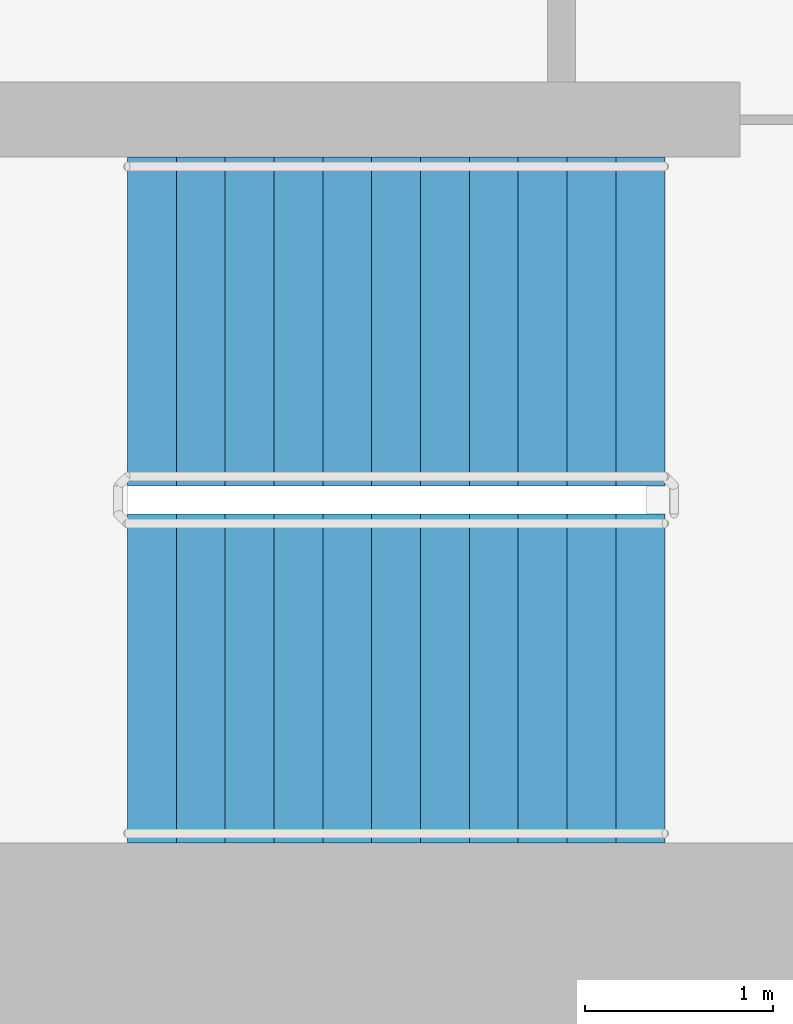
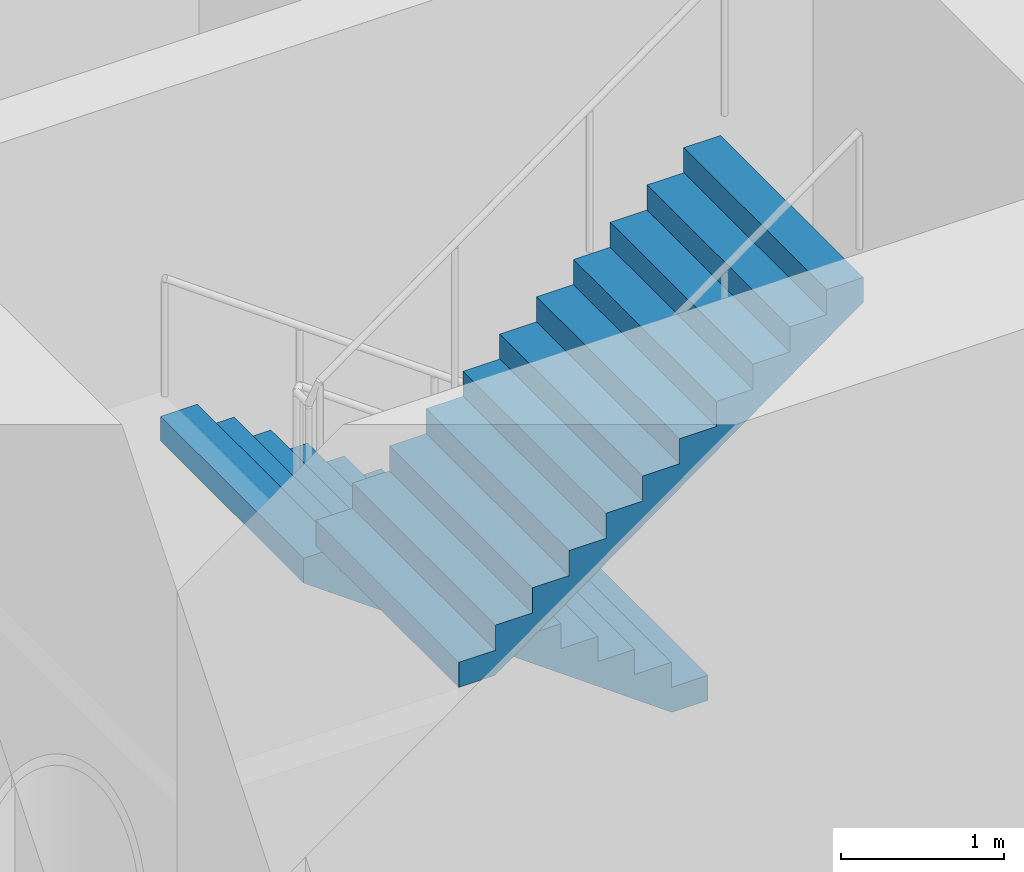
# One storey, part 28 of 49: 2 stair flights, 1 element without a shape of its own.
"""IFC4 building model written with IfcOpenShell, lengths in metres."""

from ifc_helpers import new_model, si_unit, direction, frame, origin, place, context, subcontext, project, spatial, faceted_brep, material, type_object, element, aggregate, save


model = new_model("IFC4")

# Units and contexts
model_context = context("Model", 3, precision=1e-05, world=origin(), true_north=direction((0.0, 1.0)))
body_context = subcontext(model_context, "Body", "Model", "MODEL_VIEW")
ifc_project = project(units=[si_unit("LENGTHUNIT", "METRE"), si_unit("AREAUNIT", "SQUARE_METRE"), si_unit("VOLUMEUNIT", "CUBIC_METRE"), si_unit("PLANEANGLEUNIT", "RADIAN"), si_unit("MASSUNIT", "GRAM", prefix="KILO")], contexts=[model_context])

# Site, building, storey
site_placement = place(None, origin())
site = spatial("IfcSite", under=ifc_project, at=site_placement, CompositionType="ELEMENT")
building_placement = place(site_placement, origin())
building = spatial("IfcBuilding", under=site, at=building_placement, Name="Ipe Terrace Towers", CompositionType="ELEMENT")
storey_placement = place(building_placement, frame((0.0, 0.0, 20.0)))
storey = spatial("IfcBuildingStorey", under=building, at=storey_placement, Name="L04", CompositionType="ELEMENT", Elevation=20.0)

# Stair, stair flights
ifc_material_1 = material(Name="Concrete C30/37", Category="concrete")
stair_type = type_object("IfcStairType", Name="Protected exit stair", PredefinedType="HALF_TURN_STAIR", material=ifc_material_1)
stair_placement = place(storey_placement, origin())
stair = element("IfcStair", 1, at=stair_placement, inside=storey, type_object=stair_type, Name="L04 Exit stair T1-C2", PredefinedType="HALF_TURN_STAIR")
ifc_material_2 = material(Name="Concrete C30/37", Category="concrete")
stair_flight_type = type_object("IfcStairFlightType", Name="Exit stair flight 1750", PredefinedType="STRAIGHT", material=ifc_material_2)
stair_flight_1_placement = place(storey_placement, frame((-45.699951171875, -2.77490234375, 0.0), z_axis=(0.0, 0.0, 1.0), x_axis=(-1.0, 0.0, 0.0)))
stair_flight_1 = element("IfcStairFlight", 2, at=stair_flight_1_placement, type_object=stair_flight_type, Name="T1-ST2 flight 1", NumberOfRisers=12, NumberOfTreads=11, PredefinedType="STRAIGHT", RiserHeight=0.1875, TreadLength=0.26, context=body_context, shape_type="Brep", body=[
    faceted_brep([(0.25634765625, -0.875, 0.0), (2.860107421875, -0.875, 1.877685546875), (2.860107421875, -0.875, 2.0625), (2.60009765625, -0.875, 2.0625), (2.60009765625, -0.875, 1.875), (2.340087890625, -0.875, 1.875), (2.340087890625, -0.875, 1.6875), (2.080078125, -0.875, 1.6875), (2.080078125, -0.875, 1.5), (1.820068359375, -0.875, 1.5), (1.820068359375, -0.875, 1.3125), (1.56005859375, -0.875, 1.3125), (1.56005859375, -0.875, 1.125), (1.300048828125, -0.875, 1.125), (1.300048828125, -0.875, 0.9375), (1.0400390625, -0.875, 0.9375), (1.0400390625, -0.875, 0.75), (0.780029296875, -0.875, 0.75), (0.780029296875, -0.875, 0.5625), (0.52001953125, -0.875, 0.5625), (0.52001953125, -0.875, 0.375), (0.260009765625, -0.875, 0.375), (0.260009765625, -0.875, 0.1875), (0.0, -0.875, 0.1875), (0.0, -0.875, 0.0), (0.0, 0.875, 0.0), (0.0, 0.875, 0.1875), (0.260009765625, 0.875, 0.1875), (0.260009765625, 0.875, 0.375), (0.52001953125, 0.875, 0.375), (0.52001953125, 0.875, 0.5625), (0.780029296875, 0.875, 0.5625), (0.780029296875, 0.875, 0.75), (1.0400390625, 0.875, 0.75), (1.0400390625, 0.875, 0.9375), (1.300048828125, 0.875, 0.9375), (1.300048828125, 0.875, 1.125), (1.56005859375, 0.875, 1.125), (1.56005859375, 0.875, 1.3125), (1.820068359375, 0.875, 1.3125), (1.820068359375, 0.875, 1.5), (2.080078125, 0.875, 1.5), (2.080078125, 0.875, 1.6875), (2.340087890625, 0.875, 1.6875), (2.340087890625, 0.875, 1.875), (2.60009765625, 0.875, 1.875), (2.60009765625, 0.875, 2.0625), (2.860107421875, 0.875, 2.0625), (2.860107421875, 0.875, 1.877685546875), (0.25634765625, 0.875, 0.0), (0.0, -0.300048828125, 0.1875), (0.0, -0.1201171875, 0.1875), (0.0, -0.06005859375, 0.1875), (0.0, -0.030029296875, 0.1875), (0.0, -0.010009765625, 0.1875), (0.0, 0.0, 0.1875), (0.0, 0.010009765625, 0.1875), (0.0, 0.030029296875, 0.1875), (0.0, 0.06005859375, 0.1875), (0.0, 0.1201171875, 0.1875), (0.0, 0.300048828125, 0.1875), (0.0, 0.300048828125, 0.0), (0.0, 0.1201171875, 0.0), (0.0, 0.06005859375, 0.0), (0.0, 0.030029296875, 0.0), (0.0, 0.010009765625, 0.0), (0.0, 0.0, 0.0), (0.0, -0.010009765625, 0.0), (0.0, -0.030029296875, 0.0), (0.0, -0.06005859375, 0.0), (0.0, -0.1201171875, 0.0), (0.0, -0.300048828125, 0.0), (0.260009765625, -0.300048828125, 0.1875), (0.260009765625, -0.1201171875, 0.1875), (0.260009765625, -0.06005859375, 0.1875), (0.260009765625, -0.030029296875, 0.1875), (0.260009765625, -0.010009765625, 0.1875), (0.260009765625, 0.0, 0.1875), (0.260009765625, 0.010009765625, 0.1875), (0.260009765625, 0.030029296875, 0.1875), (0.260009765625, 0.06005859375, 0.1875), (0.260009765625, 0.1201171875, 0.1875), (0.260009765625, 0.300048828125, 0.1875), (0.260009765625, -0.300048828125, 0.375), (0.260009765625, -0.1201171875, 0.375), (0.260009765625, -0.06005859375, 0.375), (0.260009765625, -0.030029296875, 0.375), (0.260009765625, -0.010009765625, 0.375), (0.260009765625, 0.0, 0.375), (0.260009765625, 0.010009765625, 0.375), (0.260009765625, 0.030029296875, 0.375), (0.260009765625, 0.06005859375, 0.375), (0.260009765625, 0.1201171875, 0.375), (0.260009765625, 0.300048828125, 0.375), (0.52001953125, -0.300048828125, 0.375), (0.52001953125, -0.1201171875, 0.375), (0.52001953125, -0.06005859375, 0.375), (0.52001953125, -0.030029296875, 0.375), (0.52001953125, -0.010009765625, 0.375), (0.52001953125, 0.0, 0.375), (0.52001953125, 0.010009765625, 0.375), (0.52001953125, 0.030029296875, 0.375), (0.52001953125, 0.06005859375, 0.375), (0.52001953125, 0.1201171875, 0.375), (0.52001953125, 0.300048828125, 0.375), (0.52001953125, -0.300048828125, 0.5625), (0.52001953125, -0.1201171875, 0.5625), (0.52001953125, -0.06005859375, 0.5625), (0.52001953125, -0.030029296875, 0.5625), (0.52001953125, -0.010009765625, 0.5625), (0.52001953125, 0.0, 0.5625), (0.52001953125, 0.010009765625, 0.5625), (0.52001953125, 0.030029296875, 0.5625), (0.52001953125, 0.06005859375, 0.5625), (0.52001953125, 0.1201171875, 0.5625), (0.52001953125, 0.300048828125, 0.5625), (0.780029296875, -0.300048828125, 0.5625), (0.780029296875, -0.1201171875, 0.5625), (0.780029296875, -0.06005859375, 0.5625), (0.780029296875, -0.030029296875, 0.5625), (0.780029296875, -0.010009765625, 0.5625), (0.780029296875, 0.0, 0.5625), (0.780029296875, 0.010009765625, 0.5625), (0.780029296875, 0.030029296875, 0.5625), (0.780029296875, 0.06005859375, 0.5625), (0.780029296875, 0.1201171875, 0.5625), (0.780029296875, 0.300048828125, 0.5625), (0.780029296875, -0.300048828125, 0.75), (0.780029296875, -0.1201171875, 0.75), (0.780029296875, -0.06005859375, 0.75), (0.780029296875, -0.030029296875, 0.75), (0.780029296875, -0.010009765625, 0.75), (0.780029296875, 0.0, 0.75), (0.780029296875, 0.010009765625, 0.75), (0.780029296875, 0.030029296875, 0.75), (0.780029296875, 0.06005859375, 0.75), (0.780029296875, 0.1201171875, 0.75), (0.780029296875, 0.300048828125, 0.75), (1.0400390625, -0.300048828125, 0.75), (1.0400390625, -0.1201171875, 0.75), (1.0400390625, -0.06005859375, 0.75), (1.0400390625, -0.030029296875, 0.75), (1.0400390625, -0.010009765625, 0.75), (1.0400390625, 0.0, 0.75), (1.0400390625, 0.010009765625, 0.75), (1.0400390625, 0.030029296875, 0.75), (1.0400390625, 0.06005859375, 0.75), (1.0400390625, 0.1201171875, 0.75), (1.0400390625, 0.300048828125, 0.75), (1.0400390625, -0.300048828125, 0.9375), (1.0400390625, -0.1201171875, 0.9375), (1.0400390625, -0.06005859375, 0.9375), (1.0400390625, -0.030029296875, 0.9375), (1.0400390625, -0.010009765625, 0.9375), (1.0400390625, 0.0, 0.9375), (1.0400390625, 0.010009765625, 0.9375), (1.0400390625, 0.030029296875, 0.9375), (1.0400390625, 0.06005859375, 0.9375), (1.0400390625, 0.1201171875, 0.9375), (1.0400390625, 0.300048828125, 0.9375), (1.300048828125, -0.300048828125, 0.9375), (1.300048828125, -0.1201171875, 0.9375), (1.300048828125, -0.06005859375, 0.9375), (1.300048828125, -0.030029296875, 0.9375), (1.300048828125, -0.010009765625, 0.9375), (1.300048828125, 0.0, 0.9375), (1.300048828125, 0.010009765625, 0.9375), (1.300048828125, 0.030029296875, 0.9375), (1.300048828125, 0.06005859375, 0.9375), (1.300048828125, 0.1201171875, 0.9375), (1.300048828125, 0.300048828125, 0.9375), (1.300048828125, -0.300048828125, 1.125), (1.300048828125, -0.1201171875, 1.125), (1.300048828125, -0.06005859375, 1.125), (1.300048828125, -0.030029296875, 1.125), (1.300048828125, -0.010009765625, 1.125), (1.300048828125, 0.0, 1.125), (1.300048828125, 0.010009765625, 1.125), (1.300048828125, 0.030029296875, 1.125), (1.300048828125, 0.06005859375, 1.125), (1.300048828125, 0.1201171875, 1.125), (1.300048828125, 0.300048828125, 1.125), (1.56005859375, -0.300048828125, 1.125), (1.56005859375, -0.1201171875, 1.125), (1.56005859375, -0.06005859375, 1.125), (1.56005859375, -0.030029296875, 1.125), (1.56005859375, -0.010009765625, 1.125), (1.56005859375, 0.0, 1.125), (1.56005859375, 0.010009765625, 1.125), (1.56005859375, 0.030029296875, 1.125), (1.56005859375, 0.06005859375, 1.125), (1.56005859375, 0.1201171875, 1.125), (1.56005859375, 0.300048828125, 1.125), (1.56005859375, -0.300048828125, 1.3125), (1.56005859375, -0.1201171875, 1.3125), (1.56005859375, -0.06005859375, 1.3125), (1.56005859375, -0.030029296875, 1.3125), (1.56005859375, -0.010009765625, 1.3125), (1.56005859375, 0.0, 1.3125), (1.56005859375, 0.010009765625, 1.3125), (1.56005859375, 0.030029296875, 1.3125), (1.56005859375, 0.06005859375, 1.3125), (1.56005859375, 0.1201171875, 1.3125), (1.56005859375, 0.300048828125, 1.3125), (1.820068359375, -0.300048828125, 1.3125), (1.820068359375, -0.1201171875, 1.3125), (1.820068359375, -0.06005859375, 1.3125), (1.820068359375, -0.030029296875, 1.3125), (1.820068359375, -0.010009765625, 1.3125), (1.820068359375, 0.0, 1.3125), (1.820068359375, 0.010009765625, 1.3125), (1.820068359375, 0.030029296875, 1.3125), (1.820068359375, 0.06005859375, 1.3125), (1.820068359375, 0.1201171875, 1.3125), (1.820068359375, 0.300048828125, 1.3125), (1.820068359375, -0.300048828125, 1.5), (1.820068359375, -0.1201171875, 1.5), (1.820068359375, -0.06005859375, 1.5), (1.820068359375, -0.030029296875, 1.5), (1.820068359375, -0.010009765625, 1.5), (1.820068359375, 0.0, 1.5), (1.820068359375, 0.010009765625, 1.5), (1.820068359375, 0.030029296875, 1.5), (1.820068359375, 0.06005859375, 1.5), (1.820068359375, 0.1201171875, 1.5), (1.820068359375, 0.300048828125, 1.5), (2.080078125, -0.300048828125, 1.5), (2.080078125, -0.1201171875, 1.5), (2.080078125, -0.06005859375, 1.5), (2.080078125, -0.030029296875, 1.5), (2.080078125, -0.010009765625, 1.5), (2.080078125, 0.0, 1.5), (2.080078125, 0.010009765625, 1.5), (2.080078125, 0.030029296875, 1.5), (2.080078125, 0.06005859375, 1.5), (2.080078125, 0.1201171875, 1.5), (2.080078125, 0.300048828125, 1.5), (2.080078125, -0.300048828125, 1.6875), (2.080078125, -0.1201171875, 1.6875), (2.080078125, -0.06005859375, 1.6875), (2.080078125, -0.030029296875, 1.6875), (2.080078125, -0.010009765625, 1.6875), (2.080078125, 0.0, 1.6875), (2.080078125, 0.010009765625, 1.6875), (2.080078125, 0.030029296875, 1.6875), (2.080078125, 0.06005859375, 1.6875), (2.080078125, 0.1201171875, 1.6875), (2.080078125, 0.300048828125, 1.6875), (2.340087890625, -0.300048828125, 1.6875), (2.340087890625, -0.1201171875, 1.6875), (2.340087890625, -0.06005859375, 1.6875), (2.340087890625, -0.030029296875, 1.6875), (2.340087890625, -0.010009765625, 1.6875), (2.340087890625, 0.0, 1.6875), (2.340087890625, 0.010009765625, 1.6875), (2.340087890625, 0.030029296875, 1.6875), (2.340087890625, 0.06005859375, 1.6875), (2.340087890625, 0.1201171875, 1.6875), (2.340087890625, 0.300048828125, 1.6875), (2.340087890625, -0.300048828125, 1.875), (2.340087890625, -0.1201171875, 1.875), (2.340087890625, -0.06005859375, 1.875), (2.340087890625, -0.030029296875, 1.875), (2.340087890625, -0.010009765625, 1.875), (2.340087890625, 0.0, 1.875), (2.340087890625, 0.010009765625, 1.875), (2.340087890625, 0.030029296875, 1.875), (2.340087890625, 0.06005859375, 1.875), (2.340087890625, 0.1201171875, 1.875), (2.340087890625, 0.300048828125, 1.875), (2.60009765625, -0.300048828125, 1.875), (2.60009765625, -0.1201171875, 1.875), (2.60009765625, -0.06005859375, 1.875), (2.60009765625, -0.030029296875, 1.875), (2.60009765625, -0.010009765625, 1.875), (2.60009765625, 0.0, 1.875), (2.60009765625, 0.010009765625, 1.875), (2.60009765625, 0.030029296875, 1.875), (2.60009765625, 0.06005859375, 1.875), (2.60009765625, 0.1201171875, 1.875), (2.60009765625, 0.300048828125, 1.875), (2.60009765625, -0.300048828125, 2.0625), (2.60009765625, -0.1201171875, 2.0625), (2.60009765625, -0.06005859375, 2.0625), (2.60009765625, -0.030029296875, 2.0625), (2.60009765625, -0.010009765625, 2.0625), (2.60009765625, 0.0, 2.0625), (2.60009765625, 0.010009765625, 2.0625), (2.60009765625, 0.030029296875, 2.0625), (2.60009765625, 0.06005859375, 2.0625), (2.60009765625, 0.1201171875, 2.0625), (2.60009765625, 0.300048828125, 2.0625), (2.860107421875, -0.300048828125, 2.0625), (2.860107421875, -0.1201171875, 2.0625), (2.860107421875, -0.06005859375, 2.0625), (2.860107421875, -0.030029296875, 2.0625), (2.860107421875, -0.010009765625, 2.0625), (2.860107421875, 0.0, 2.0625), (2.860107421875, 0.010009765625, 2.0625), (2.860107421875, 0.030029296875, 2.0625), (2.860107421875, 0.06005859375, 2.0625), (2.860107421875, 0.1201171875, 2.0625), (2.860107421875, 0.300048828125, 2.0625), (2.860107421875, -0.300048828125, 1.877685546875), (2.860107421875, -0.1201171875, 1.877685546875), (2.860107421875, -0.06005859375, 1.877685546875), (2.860107421875, -0.030029296875, 1.877685546875), (2.860107421875, -0.010009765625, 1.877685546875), (2.860107421875, 0.0, 1.877685546875), (2.860107421875, 0.010009765625, 1.877685546875), (2.860107421875, 0.030029296875, 1.877685546875), (2.860107421875, 0.06005859375, 1.877685546875), (2.860107421875, 0.1201171875, 1.877685546875), (2.860107421875, 0.300048828125, 1.877685546875), (0.25634765625, -0.300048828125, 0.0), (0.25634765625, -0.1201171875, 0.0), (0.25634765625, -0.06005859375, 0.0), (0.25634765625, -0.030029296875, 0.0), (0.25634765625, -0.010009765625, 0.0), (0.25634765625, 0.0, 0.0), (0.25634765625, 0.010009765625, 0.0), (0.25634765625, 0.030029296875, 0.0), (0.25634765625, 0.06005859375, 0.0), (0.25634765625, 0.1201171875, 0.0), (0.25634765625, 0.300048828125, 0.0)], [[[0, 1, 2, 3, 4, 5, 6, 7, 8, 9, 10, 11, 12, 13, 14, 15, 16, 17, 18, 19, 20, 21, 22, 23, 24]], [[25, 26, 27, 28, 29, 30, 31, 32, 33, 34, 35, 36, 37, 38, 39, 40, 41, 42, 43, 44, 45, 46, 47, 48, 49]], [[23, 50, 51, 52, 53, 54, 55, 56, 57, 58, 59, 60, 26, 25, 61, 62, 63, 64, 65, 66, 67, 68, 69, 70, 71, 24]], [[22, 72, 73, 74, 75, 76, 77, 78, 79, 80, 81, 82, 27, 26, 60, 59, 58, 57, 56, 55, 54, 53, 52, 51, 50, 23]], [[21, 83, 84, 85, 86, 87, 88, 89, 90, 91, 92, 93, 28, 27, 82, 81, 80, 79, 78, 77, 76, 75, 74, 73, 72, 22]], [[20, 94, 95, 96, 97, 98, 99, 100, 101, 102, 103, 104, 29, 28, 93, 92, 91, 90, 89, 88, 87, 86, 85, 84, 83, 21]], [[19, 105, 106, 107, 108, 109, 110, 111, 112, 113, 114, 115, 30, 29, 104, 103, 102, 101, 100, 99, 98, 97, 96, 95, 94, 20]], [[18, 116, 117, 118, 119, 120, 121, 122, 123, 124, 125, 126, 31, 30, 115, 114, 113, 112, 111, 110, 109, 108, 107, 106, 105, 19]], [[17, 127, 128, 129, 130, 131, 132, 133, 134, 135, 136, 137, 32, 31, 126, 125, 124, 123, 122, 121, 120, 119, 118, 117, 116, 18]], [[16, 138, 139, 140, 141, 142, 143, 144, 145, 146, 147, 148, 33, 32, 137, 136, 135, 134, 133, 132, 131, 130, 129, 128, 127, 17]], [[15, 149, 150, 151, 152, 153, 154, 155, 156, 157, 158, 159, 34, 33, 148, 147, 146, 145, 144, 143, 142, 141, 140, 139, 138, 16]], [[14, 160, 161, 162, 163, 164, 165, 166, 167, 168, 169, 170, 35, 34, 159, 158, 157, 156, 155, 154, 153, 152, 151, 150, 149, 15]], [[13, 171, 172, 173, 174, 175, 176, 177, 178, 179, 180, 181, 36, 35, 170, 169, 168, 167, 166, 165, 164, 163, 162, 161, 160, 14]], [[12, 182, 183, 184, 185, 186, 187, 188, 189, 190, 191, 192, 37, 36, 181, 180, 179, 178, 177, 176, 175, 174, 173, 172, 171, 13]], [[11, 193, 194, 195, 196, 197, 198, 199, 200, 201, 202, 203, 38, 37, 192, 191, 190, 189, 188, 187, 186, 185, 184, 183, 182, 12]], [[10, 204, 205, 206, 207, 208, 209, 210, 211, 212, 213, 214, 39, 38, 203, 202, 201, 200, 199, 198, 197, 196, 195, 194, 193, 11]], [[9, 215, 216, 217, 218, 219, 220, 221, 222, 223, 224, 225, 40, 39, 214, 213, 212, 211, 210, 209, 208, 207, 206, 205, 204, 10]], [[8, 226, 227, 228, 229, 230, 231, 232, 233, 234, 235, 236, 41, 40, 225, 224, 223, 222, 221, 220, 219, 218, 217, 216, 215, 9]], [[7, 237, 238, 239, 240, 241, 242, 243, 244, 245, 246, 247, 42, 41, 236, 235, 234, 233, 232, 231, 230, 229, 228, 227, 226, 8]], [[6, 248, 249, 250, 251, 252, 253, 254, 255, 256, 257, 258, 43, 42, 247, 246, 245, 244, 243, 242, 241, 240, 239, 238, 237, 7]], [[5, 259, 260, 261, 262, 263, 264, 265, 266, 267, 268, 269, 44, 43, 258, 257, 256, 255, 254, 253, 252, 251, 250, 249, 248, 6]], [[4, 270, 271, 272, 273, 274, 275, 276, 277, 278, 279, 280, 45, 44, 269, 268, 267, 266, 265, 264, 263, 262, 261, 260, 259, 5]], [[3, 281, 282, 283, 284, 285, 286, 287, 288, 289, 290, 291, 46, 45, 280, 279, 278, 277, 276, 275, 274, 273, 272, 271, 270, 4]], [[2, 292, 293, 294, 295, 296, 297, 298, 299, 300, 301, 302, 47, 46, 291, 290, 289, 288, 287, 286, 285, 284, 283, 282, 281, 3]], [[1, 303, 304, 305, 306, 307, 308, 309, 310, 311, 312, 313, 48, 47, 302, 301, 300, 299, 298, 297, 296, 295, 294, 293, 292, 2]], [[0, 314, 315, 316, 317, 318, 319, 320, 321, 322, 323, 324, 49, 48, 313, 312, 311, 310, 309, 308, 307, 306, 305, 304, 303, 1]], [[24, 71, 70, 69, 68, 67, 66, 65, 64, 63, 62, 61, 25, 49, 324, 323, 322, 321, 320, 319, 318, 317, 316, 315, 314, 0]]]),
])
stair_flight_2_placement = place(storey_placement, frame((-48.56005859375, -4.675048828125, 2.25), z_axis=(0.0, 0.0, 1.0), x_axis=(1.0, 0.0, 0.0)))
stair_flight_2 = element("IfcStairFlight", 3, at=stair_flight_2_placement, type_object=stair_flight_type, Name="T1-ST2 flight 2", NumberOfRisers=12, NumberOfTreads=11, PredefinedType="STRAIGHT", RiserHeight=0.1875, TreadLength=0.26, context=body_context, shape_type="Brep", body=[
    faceted_brep([(0.25634765625, -0.875, 0.0), (2.860107421875, -0.875, 1.877685546875), (2.860107421875, -0.875, 2.0625), (2.60009765625, -0.875, 2.0625), (2.60009765625, -0.875, 1.875), (2.340087890625, -0.875, 1.875), (2.340087890625, -0.875, 1.6875), (2.080078125, -0.875, 1.6875), (2.080078125, -0.875, 1.5), (1.820068359375, -0.875, 1.5), (1.820068359375, -0.875, 1.3125), (1.56005859375, -0.875, 1.3125), (1.56005859375, -0.875, 1.125), (1.300048828125, -0.875, 1.125), (1.300048828125, -0.875, 0.9375), (1.0400390625, -0.875, 0.9375), (1.0400390625, -0.875, 0.75), (0.780029296875, -0.875, 0.75), (0.780029296875, -0.875, 0.5625), (0.52001953125, -0.875, 0.5625), (0.52001953125, -0.875, 0.375), (0.260009765625, -0.875, 0.375), (0.260009765625, -0.875, 0.1875), (0.0, -0.875, 0.1875), (0.0, -0.875, 0.0), (0.0, 0.875, 0.0), (0.0, 0.875, 0.1875), (0.260009765625, 0.875, 0.1875), (0.260009765625, 0.875, 0.375), (0.52001953125, 0.875, 0.375), (0.52001953125, 0.875, 0.5625), (0.780029296875, 0.875, 0.5625), (0.780029296875, 0.875, 0.75), (1.0400390625, 0.875, 0.75), (1.0400390625, 0.875, 0.9375), (1.300048828125, 0.875, 0.9375), (1.300048828125, 0.875, 1.125), (1.56005859375, 0.875, 1.125), (1.56005859375, 0.875, 1.3125), (1.820068359375, 0.875, 1.3125), (1.820068359375, 0.875, 1.5), (2.080078125, 0.875, 1.5), (2.080078125, 0.875, 1.6875), (2.340087890625, 0.875, 1.6875), (2.340087890625, 0.875, 1.875), (2.60009765625, 0.875, 1.875), (2.60009765625, 0.875, 2.0625), (2.860107421875, 0.875, 2.0625), (2.860107421875, 0.875, 1.877685546875), (0.25634765625, 0.875, 0.0), (0.0, -0.300048828125, 0.1875), (0.0, -0.1201171875, 0.1875), (0.0, -0.06005859375, 0.1875), (0.0, -0.030029296875, 0.1875), (0.0, -0.010009765625, 0.1875), (0.0, 0.0, 0.1875), (0.0, 0.010009765625, 0.1875), (0.0, 0.030029296875, 0.1875), (0.0, 0.06005859375, 0.1875), (0.0, 0.1201171875, 0.1875), (0.0, 0.300048828125, 0.1875), (0.0, 0.300048828125, 0.0), (0.0, 0.1201171875, 0.0), (0.0, 0.06005859375, 0.0), (0.0, 0.030029296875, 0.0), (0.0, 0.010009765625, 0.0), (0.0, 0.0, 0.0), (0.0, -0.010009765625, 0.0), (0.0, -0.030029296875, 0.0), (0.0, -0.06005859375, 0.0), (0.0, -0.1201171875, 0.0), (0.0, -0.300048828125, 0.0), (0.260009765625, -0.300048828125, 0.1875), (0.260009765625, -0.1201171875, 0.1875), (0.260009765625, -0.06005859375, 0.1875), (0.260009765625, -0.030029296875, 0.1875), (0.260009765625, -0.010009765625, 0.1875), (0.260009765625, 0.0, 0.1875), (0.260009765625, 0.010009765625, 0.1875), (0.260009765625, 0.030029296875, 0.1875), (0.260009765625, 0.06005859375, 0.1875), (0.260009765625, 0.1201171875, 0.1875), (0.260009765625, 0.300048828125, 0.1875), (0.260009765625, -0.300048828125, 0.375), (0.260009765625, -0.1201171875, 0.375), (0.260009765625, -0.06005859375, 0.375), (0.260009765625, -0.030029296875, 0.375), (0.260009765625, -0.010009765625, 0.375), (0.260009765625, 0.0, 0.375), (0.260009765625, 0.010009765625, 0.375), (0.260009765625, 0.030029296875, 0.375), (0.260009765625, 0.06005859375, 0.375), (0.260009765625, 0.1201171875, 0.375), (0.260009765625, 0.300048828125, 0.375), (0.52001953125, -0.300048828125, 0.375), (0.52001953125, -0.1201171875, 0.375), (0.52001953125, -0.06005859375, 0.375), (0.52001953125, -0.030029296875, 0.375), (0.52001953125, -0.010009765625, 0.375), (0.52001953125, 0.0, 0.375), (0.52001953125, 0.010009765625, 0.375), (0.52001953125, 0.030029296875, 0.375), (0.52001953125, 0.06005859375, 0.375), (0.52001953125, 0.1201171875, 0.375), (0.52001953125, 0.300048828125, 0.375), (0.52001953125, -0.300048828125, 0.5625), (0.52001953125, -0.1201171875, 0.5625), (0.52001953125, -0.06005859375, 0.5625), (0.52001953125, -0.030029296875, 0.5625), (0.52001953125, -0.010009765625, 0.5625), (0.52001953125, 0.0, 0.5625), (0.52001953125, 0.010009765625, 0.5625), (0.52001953125, 0.030029296875, 0.5625), (0.52001953125, 0.06005859375, 0.5625), (0.52001953125, 0.1201171875, 0.5625), (0.52001953125, 0.300048828125, 0.5625), (0.780029296875, -0.300048828125, 0.5625), (0.780029296875, -0.1201171875, 0.5625), (0.780029296875, -0.06005859375, 0.5625), (0.780029296875, -0.030029296875, 0.5625), (0.780029296875, -0.010009765625, 0.5625), (0.780029296875, 0.0, 0.5625), (0.780029296875, 0.010009765625, 0.5625), (0.780029296875, 0.030029296875, 0.5625), (0.780029296875, 0.06005859375, 0.5625), (0.780029296875, 0.1201171875, 0.5625), (0.780029296875, 0.300048828125, 0.5625), (0.780029296875, -0.300048828125, 0.75), (0.780029296875, -0.1201171875, 0.75), (0.780029296875, -0.06005859375, 0.75), (0.780029296875, -0.030029296875, 0.75), (0.780029296875, -0.010009765625, 0.75), (0.780029296875, 0.0, 0.75), (0.780029296875, 0.010009765625, 0.75), (0.780029296875, 0.030029296875, 0.75), (0.780029296875, 0.06005859375, 0.75), (0.780029296875, 0.1201171875, 0.75), (0.780029296875, 0.300048828125, 0.75), (1.0400390625, -0.300048828125, 0.75), (1.0400390625, -0.1201171875, 0.75), (1.0400390625, -0.06005859375, 0.75), (1.0400390625, -0.030029296875, 0.75), (1.0400390625, -0.010009765625, 0.75), (1.0400390625, 0.0, 0.75), (1.0400390625, 0.010009765625, 0.75), (1.0400390625, 0.030029296875, 0.75), (1.0400390625, 0.06005859375, 0.75), (1.0400390625, 0.1201171875, 0.75), (1.0400390625, 0.300048828125, 0.75), (1.0400390625, -0.300048828125, 0.9375), (1.0400390625, -0.1201171875, 0.9375), (1.0400390625, -0.06005859375, 0.9375), (1.0400390625, -0.030029296875, 0.9375), (1.0400390625, -0.010009765625, 0.9375), (1.0400390625, 0.0, 0.9375), (1.0400390625, 0.010009765625, 0.9375), (1.0400390625, 0.030029296875, 0.9375), (1.0400390625, 0.06005859375, 0.9375), (1.0400390625, 0.1201171875, 0.9375), (1.0400390625, 0.300048828125, 0.9375), (1.300048828125, -0.300048828125, 0.9375), (1.300048828125, -0.1201171875, 0.9375), (1.300048828125, -0.06005859375, 0.9375), (1.300048828125, -0.030029296875, 0.9375), (1.300048828125, -0.010009765625, 0.9375), (1.300048828125, 0.0, 0.9375), (1.300048828125, 0.010009765625, 0.9375), (1.300048828125, 0.030029296875, 0.9375), (1.300048828125, 0.06005859375, 0.9375), (1.300048828125, 0.1201171875, 0.9375), (1.300048828125, 0.300048828125, 0.9375), (1.300048828125, -0.300048828125, 1.125), (1.300048828125, -0.1201171875, 1.125), (1.300048828125, -0.06005859375, 1.125), (1.300048828125, -0.030029296875, 1.125), (1.300048828125, -0.010009765625, 1.125), (1.300048828125, 0.0, 1.125), (1.300048828125, 0.010009765625, 1.125), (1.300048828125, 0.030029296875, 1.125), (1.300048828125, 0.06005859375, 1.125), (1.300048828125, 0.1201171875, 1.125), (1.300048828125, 0.300048828125, 1.125), (1.56005859375, -0.300048828125, 1.125), (1.56005859375, -0.1201171875, 1.125), (1.56005859375, -0.06005859375, 1.125), (1.56005859375, -0.030029296875, 1.125), (1.56005859375, -0.010009765625, 1.125), (1.56005859375, 0.0, 1.125), (1.56005859375, 0.010009765625, 1.125), (1.56005859375, 0.030029296875, 1.125), (1.56005859375, 0.06005859375, 1.125), (1.56005859375, 0.1201171875, 1.125), (1.56005859375, 0.300048828125, 1.125), (1.56005859375, -0.300048828125, 1.3125), (1.56005859375, -0.1201171875, 1.3125), (1.56005859375, -0.06005859375, 1.3125), (1.56005859375, -0.030029296875, 1.3125), (1.56005859375, -0.010009765625, 1.3125), (1.56005859375, 0.0, 1.3125), (1.56005859375, 0.010009765625, 1.3125), (1.56005859375, 0.030029296875, 1.3125), (1.56005859375, 0.06005859375, 1.3125), (1.56005859375, 0.1201171875, 1.3125), (1.56005859375, 0.300048828125, 1.3125), (1.820068359375, -0.300048828125, 1.3125), (1.820068359375, -0.1201171875, 1.3125), (1.820068359375, -0.06005859375, 1.3125), (1.820068359375, -0.030029296875, 1.3125), (1.820068359375, -0.010009765625, 1.3125), (1.820068359375, 0.0, 1.3125), (1.820068359375, 0.010009765625, 1.3125), (1.820068359375, 0.030029296875, 1.3125), (1.820068359375, 0.06005859375, 1.3125), (1.820068359375, 0.1201171875, 1.3125), (1.820068359375, 0.300048828125, 1.3125), (1.820068359375, -0.300048828125, 1.5), (1.820068359375, -0.1201171875, 1.5), (1.820068359375, -0.06005859375, 1.5), (1.820068359375, -0.030029296875, 1.5), (1.820068359375, -0.010009765625, 1.5), (1.820068359375, 0.0, 1.5), (1.820068359375, 0.010009765625, 1.5), (1.820068359375, 0.030029296875, 1.5), (1.820068359375, 0.06005859375, 1.5), (1.820068359375, 0.1201171875, 1.5), (1.820068359375, 0.300048828125, 1.5), (2.080078125, -0.300048828125, 1.5), (2.080078125, -0.1201171875, 1.5), (2.080078125, -0.06005859375, 1.5), (2.080078125, -0.030029296875, 1.5), (2.080078125, -0.010009765625, 1.5), (2.080078125, 0.0, 1.5), (2.080078125, 0.010009765625, 1.5), (2.080078125, 0.030029296875, 1.5), (2.080078125, 0.06005859375, 1.5), (2.080078125, 0.1201171875, 1.5), (2.080078125, 0.300048828125, 1.5), (2.080078125, -0.300048828125, 1.6875), (2.080078125, -0.1201171875, 1.6875), (2.080078125, -0.06005859375, 1.6875), (2.080078125, -0.030029296875, 1.6875), (2.080078125, -0.010009765625, 1.6875), (2.080078125, 0.0, 1.6875), (2.080078125, 0.010009765625, 1.6875), (2.080078125, 0.030029296875, 1.6875), (2.080078125, 0.06005859375, 1.6875), (2.080078125, 0.1201171875, 1.6875), (2.080078125, 0.300048828125, 1.6875), (2.340087890625, -0.300048828125, 1.6875), (2.340087890625, -0.1201171875, 1.6875), (2.340087890625, -0.06005859375, 1.6875), (2.340087890625, -0.030029296875, 1.6875), (2.340087890625, -0.010009765625, 1.6875), (2.340087890625, 0.0, 1.6875), (2.340087890625, 0.010009765625, 1.6875), (2.340087890625, 0.030029296875, 1.6875), (2.340087890625, 0.06005859375, 1.6875), (2.340087890625, 0.1201171875, 1.6875), (2.340087890625, 0.300048828125, 1.6875), (2.340087890625, -0.300048828125, 1.875), (2.340087890625, -0.1201171875, 1.875), (2.340087890625, -0.06005859375, 1.875), (2.340087890625, -0.030029296875, 1.875), (2.340087890625, -0.010009765625, 1.875), (2.340087890625, 0.0, 1.875), (2.340087890625, 0.010009765625, 1.875), (2.340087890625, 0.030029296875, 1.875), (2.340087890625, 0.06005859375, 1.875), (2.340087890625, 0.1201171875, 1.875), (2.340087890625, 0.300048828125, 1.875), (2.60009765625, -0.300048828125, 1.875), (2.60009765625, -0.1201171875, 1.875), (2.60009765625, -0.06005859375, 1.875), (2.60009765625, -0.030029296875, 1.875), (2.60009765625, -0.010009765625, 1.875), (2.60009765625, 0.0, 1.875), (2.60009765625, 0.010009765625, 1.875), (2.60009765625, 0.030029296875, 1.875), (2.60009765625, 0.06005859375, 1.875), (2.60009765625, 0.1201171875, 1.875), (2.60009765625, 0.300048828125, 1.875), (2.60009765625, -0.300048828125, 2.0625), (2.60009765625, -0.1201171875, 2.0625), (2.60009765625, -0.06005859375, 2.0625), (2.60009765625, -0.030029296875, 2.0625), (2.60009765625, -0.010009765625, 2.0625), (2.60009765625, 0.0, 2.0625), (2.60009765625, 0.010009765625, 2.0625), (2.60009765625, 0.030029296875, 2.0625), (2.60009765625, 0.06005859375, 2.0625), (2.60009765625, 0.1201171875, 2.0625), (2.60009765625, 0.300048828125, 2.0625), (2.860107421875, -0.300048828125, 2.0625), (2.860107421875, -0.1201171875, 2.0625), (2.860107421875, -0.06005859375, 2.0625), (2.860107421875, -0.030029296875, 2.0625), (2.860107421875, -0.010009765625, 2.0625), (2.860107421875, 0.0, 2.0625), (2.860107421875, 0.010009765625, 2.0625), (2.860107421875, 0.030029296875, 2.0625), (2.860107421875, 0.06005859375, 2.0625), (2.860107421875, 0.1201171875, 2.0625), (2.860107421875, 0.300048828125, 2.0625), (2.860107421875, -0.300048828125, 1.877685546875), (2.860107421875, -0.1201171875, 1.877685546875), (2.860107421875, -0.06005859375, 1.877685546875), (2.860107421875, -0.030029296875, 1.877685546875), (2.860107421875, -0.010009765625, 1.877685546875), (2.860107421875, 0.0, 1.877685546875), (2.860107421875, 0.010009765625, 1.877685546875), (2.860107421875, 0.030029296875, 1.877685546875), (2.860107421875, 0.06005859375, 1.877685546875), (2.860107421875, 0.1201171875, 1.877685546875), (2.860107421875, 0.300048828125, 1.877685546875), (0.25634765625, -0.300048828125, 0.0), (0.25634765625, -0.1201171875, 0.0), (0.25634765625, -0.06005859375, 0.0), (0.25634765625, -0.030029296875, 0.0), (0.25634765625, -0.010009765625, 0.0), (0.25634765625, 0.0, 0.0), (0.25634765625, 0.010009765625, 0.0), (0.25634765625, 0.030029296875, 0.0), (0.25634765625, 0.06005859375, 0.0), (0.25634765625, 0.1201171875, 0.0), (0.25634765625, 0.300048828125, 0.0)], [[[0, 1, 2, 3, 4, 5, 6, 7, 8, 9, 10, 11, 12, 13, 14, 15, 16, 17, 18, 19, 20, 21, 22, 23, 24]], [[25, 26, 27, 28, 29, 30, 31, 32, 33, 34, 35, 36, 37, 38, 39, 40, 41, 42, 43, 44, 45, 46, 47, 48, 49]], [[23, 50, 51, 52, 53, 54, 55, 56, 57, 58, 59, 60, 26, 25, 61, 62, 63, 64, 65, 66, 67, 68, 69, 70, 71, 24]], [[22, 72, 73, 74, 75, 76, 77, 78, 79, 80, 81, 82, 27, 26, 60, 59, 58, 57, 56, 55, 54, 53, 52, 51, 50, 23]], [[21, 83, 84, 85, 86, 87, 88, 89, 90, 91, 92, 93, 28, 27, 82, 81, 80, 79, 78, 77, 76, 75, 74, 73, 72, 22]], [[20, 94, 95, 96, 97, 98, 99, 100, 101, 102, 103, 104, 29, 28, 93, 92, 91, 90, 89, 88, 87, 86, 85, 84, 83, 21]], [[19, 105, 106, 107, 108, 109, 110, 111, 112, 113, 114, 115, 30, 29, 104, 103, 102, 101, 100, 99, 98, 97, 96, 95, 94, 20]], [[18, 116, 117, 118, 119, 120, 121, 122, 123, 124, 125, 126, 31, 30, 115, 114, 113, 112, 111, 110, 109, 108, 107, 106, 105, 19]], [[17, 127, 128, 129, 130, 131, 132, 133, 134, 135, 136, 137, 32, 31, 126, 125, 124, 123, 122, 121, 120, 119, 118, 117, 116, 18]], [[16, 138, 139, 140, 141, 142, 143, 144, 145, 146, 147, 148, 33, 32, 137, 136, 135, 134, 133, 132, 131, 130, 129, 128, 127, 17]], [[15, 149, 150, 151, 152, 153, 154, 155, 156, 157, 158, 159, 34, 33, 148, 147, 146, 145, 144, 143, 142, 141, 140, 139, 138, 16]], [[14, 160, 161, 162, 163, 164, 165, 166, 167, 168, 169, 170, 35, 34, 159, 158, 157, 156, 155, 154, 153, 152, 151, 150, 149, 15]], [[13, 171, 172, 173, 174, 175, 176, 177, 178, 179, 180, 181, 36, 35, 170, 169, 168, 167, 166, 165, 164, 163, 162, 161, 160, 14]], [[12, 182, 183, 184, 185, 186, 187, 188, 189, 190, 191, 192, 37, 36, 181, 180, 179, 178, 177, 176, 175, 174, 173, 172, 171, 13]], [[11, 193, 194, 195, 196, 197, 198, 199, 200, 201, 202, 203, 38, 37, 192, 191, 190, 189, 188, 187, 186, 185, 184, 183, 182, 12]], [[10, 204, 205, 206, 207, 208, 209, 210, 211, 212, 213, 214, 39, 38, 203, 202, 201, 200, 199, 198, 197, 196, 195, 194, 193, 11]], [[9, 215, 216, 217, 218, 219, 220, 221, 222, 223, 224, 225, 40, 39, 214, 213, 212, 211, 210, 209, 208, 207, 206, 205, 204, 10]], [[8, 226, 227, 228, 229, 230, 231, 232, 233, 234, 235, 236, 41, 40, 225, 224, 223, 222, 221, 220, 219, 218, 217, 216, 215, 9]], [[7, 237, 238, 239, 240, 241, 242, 243, 244, 245, 246, 247, 42, 41, 236, 235, 234, 233, 232, 231, 230, 229, 228, 227, 226, 8]], [[6, 248, 249, 250, 251, 252, 253, 254, 255, 256, 257, 258, 43, 42, 247, 246, 245, 244, 243, 242, 241, 240, 239, 238, 237, 7]], [[5, 259, 260, 261, 262, 263, 264, 265, 266, 267, 268, 269, 44, 43, 258, 257, 256, 255, 254, 253, 252, 251, 250, 249, 248, 6]], [[4, 270, 271, 272, 273, 274, 275, 276, 277, 278, 279, 280, 45, 44, 269, 268, 267, 266, 265, 264, 263, 262, 261, 260, 259, 5]], [[3, 281, 282, 283, 284, 285, 286, 287, 288, 289, 290, 291, 46, 45, 280, 279, 278, 277, 276, 275, 274, 273, 272, 271, 270, 4]], [[2, 292, 293, 294, 295, 296, 297, 298, 299, 300, 301, 302, 47, 46, 291, 290, 289, 288, 287, 286, 285, 284, 283, 282, 281, 3]], [[1, 303, 304, 305, 306, 307, 308, 309, 310, 311, 312, 313, 48, 47, 302, 301, 300, 299, 298, 297, 296, 295, 294, 293, 292, 2]], [[0, 314, 315, 316, 317, 318, 319, 320, 321, 322, 323, 324, 49, 48, 313, 312, 311, 310, 309, 308, 307, 306, 305, 304, 303, 1]], [[24, 71, 70, 69, 68, 67, 66, 65, 64, 63, 62, 61, 25, 49, 324, 323, 322, 321, 320, 319, 318, 317, 316, 315, 314, 0]]]),
])
aggregate(stair, [stair_flight_1, stair_flight_2])

save(model, "model.ifc")
